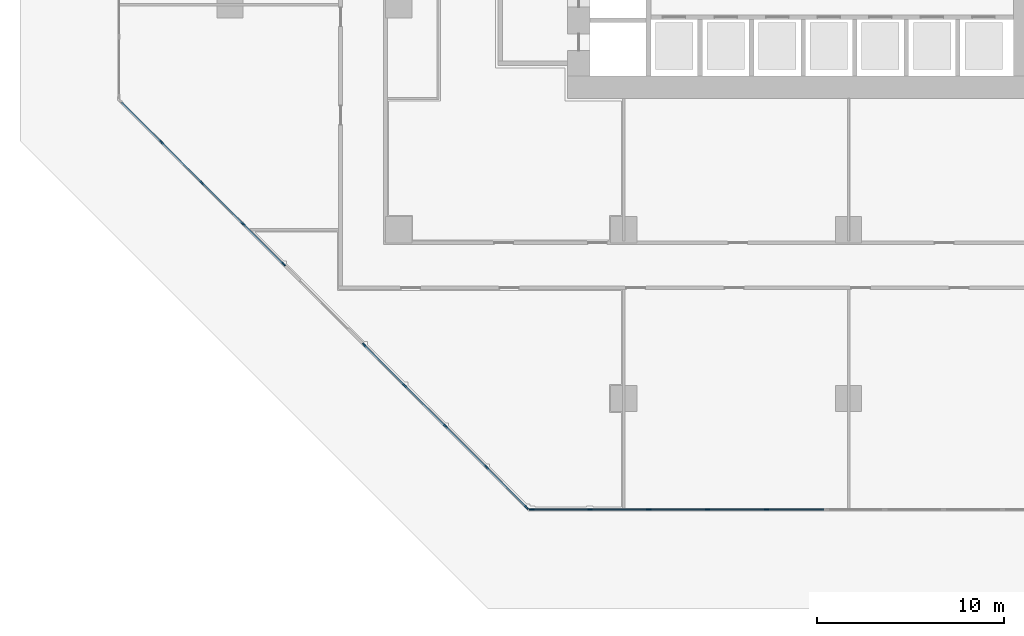
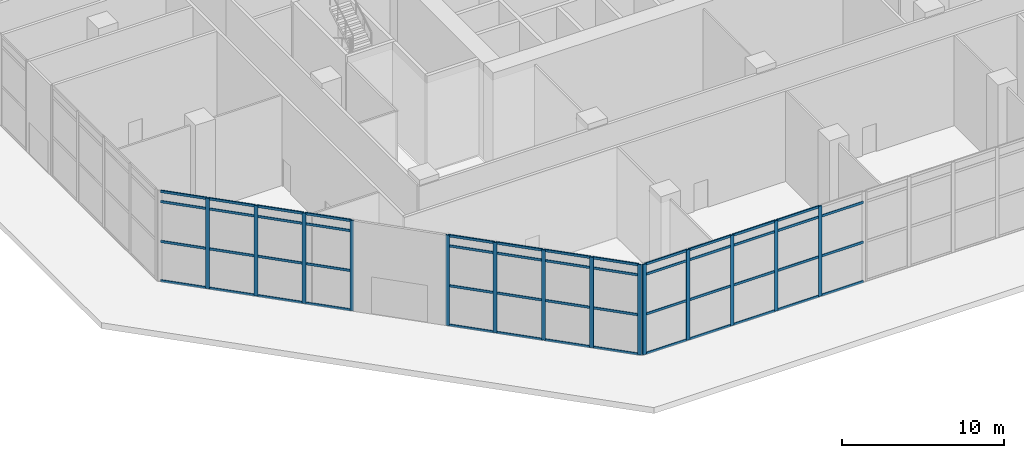
# One storey, part 2 of 34: 65 members, 3 elements without a shape of their own.
"""IFC4 building model written with IfcOpenShell, lengths in metres."""

from ifc_helpers import new_model, si_unit, direction, frame, origin, origin_2d, place, context, subcontext, project, spatial, rectangle, extrude, material, layer, layer_set, material_profile, profile_set, type_object, element, aggregate, save


model = new_model("IFC4")

# Units and contexts
model_context = context("Model", 3, precision=1e-05, world=origin(), true_north=direction((0.0, 1.0)))
body_context = subcontext(model_context, "Body", "Model", "MODEL_VIEW")
ifc_project = project(units=[si_unit("LENGTHUNIT", "METRE"), si_unit("AREAUNIT", "SQUARE_METRE"), si_unit("VOLUMEUNIT", "CUBIC_METRE"), si_unit("PLANEANGLEUNIT", "RADIAN"), si_unit("MASSUNIT", "GRAM", prefix="KILO")], contexts=[model_context])

# Site, building, storey
site_placement = place(None, origin())
site = spatial("IfcSite", under=ifc_project, at=site_placement, CompositionType="ELEMENT")
building_placement = place(site_placement, origin())
building = spatial("IfcBuilding", under=site, at=building_placement, Name="Chenar Terraces", CompositionType="ELEMENT")
storey_placement = place(building_placement, origin())
storey = spatial("IfcBuildingStorey", under=building, at=storey_placement, Name="L00", CompositionType="ELEMENT", Elevation=0.0)

# Curtain wall, members
ifc_material_1 = material(Name="Aluminium framed glazing", Category="aluminium")
ifc_layer = layer(ifc_material_1, 0.14990234375)
ifc_layer_set = layer_set([ifc_layer], Name="Aluminium framed glazing")
curtain_wall_type = type_object("IfcCurtainWallType", Name="Lobby curtain wall", PredefinedType="NOTDEFINED", material=ifc_layer_set)
placement = place(storey_placement, origin())
curtain_wall_1 = element("IfcCurtainWall", 1, at=placement, inside=storey, type_object=curtain_wall_type, Name="Lobby curtain wall", PredefinedType="NOTDEFINED")
ifc_material_2 = material(Name="Aluminium", Category="aluminium")
ifc_material_profile_1 = material_profile(ifc_material_2, rectangle(XDim=0.080078125, YDim=0.25, at=origin_2d()), Name="Lobby glazing mullion 80 x 250")
ifc_profile_set_1 = profile_set([ifc_material_profile_1], Name="Aluminium")
member_type_1 = type_object("IfcMemberType", Name="Lobby glazing mullion 80 x 250", PredefinedType="MULLION", material=ifc_profile_set_1)
member_1_placement = place(storey_placement, frame((-12.661376953125, 4.675537109375, 0.0), z_axis=(0.0, 0.0, 1.0), x_axis=(0.707106781187, 0.707106781187, 0.0)))
member_1 = element("IfcMember", 2, at=member_1_placement, type_object=member_type_1, Name="CW6-05a0 mullion 2", PredefinedType="MULLION", context=body_context, shape_type="SweptSolid", body=[
    extrude(rectangle(XDim=0.080078125, YDim=0.25, at=origin_2d()), origin(), (0.0, 0.0, 1.0), 6.800048828125),
])
member_2_placement = place(storey_placement, frame((-10.48193359375, 2.49609375, 0.0), z_axis=(0.0, 0.0, 1.0), x_axis=(0.707106781187, 0.707106781187, 0.0)))
member_2 = element("IfcMember", 3, at=member_2_placement, type_object=member_type_1, Name="CW6-05a0 mullion 3", PredefinedType="MULLION", context=body_context, shape_type="SweptSolid", body=[
    extrude(rectangle(XDim=0.080078125, YDim=0.25, at=origin_2d()), origin(), (0.0, 0.0, 1.0), 6.800048828125),
])
member_3_placement = place(storey_placement, frame((-8.302490234375, 0.316650390625, 0.0), z_axis=(0.0, 0.0, 1.0), x_axis=(0.707106781187, 0.707106781187, 0.0)))
member_3 = element("IfcMember", 4, at=member_3_placement, type_object=member_type_1, Name="CW6-05a0 mullion 4", PredefinedType="MULLION", context=body_context, shape_type="SweptSolid", body=[
    extrude(rectangle(XDim=0.080078125, YDim=0.25, at=origin_2d()), origin(), (0.0, 0.0, 1.0), 6.800048828125),
])
member_4_placement = place(storey_placement, frame((-6.1513671875, -1.83447265625, 0.0), z_axis=(0.0, 0.0, 1.0), x_axis=(0.707106781187, 0.707106781187, 0.0)))
member_4 = element("IfcMember", 5, at=member_4_placement, type_object=member_type_1, Name="CW6-05a0 mullion 5", PredefinedType="MULLION", context=body_context, shape_type="SweptSolid", body=[
    extrude(rectangle(XDim=0.080078125, YDim=0.25, at=origin_2d()), origin(), (0.0, 0.0, 1.0), 6.800048828125),
])

curtain_wall_2 = element("IfcCurtainWall", 6, at=placement, inside=storey, type_object=curtain_wall_type, Name="Lobby curtain wall", PredefinedType="NOTDEFINED")
member_5_placement = place(storey_placement, frame((-1.83447265625, -6.1513671875, 0.0), z_axis=(0.0, 0.0, 1.0), x_axis=(0.707106781187, 0.707106781187, 0.0)))
member_5 = element("IfcMember", 7, at=member_5_placement, type_object=member_type_1, Name="CW6-05b0 mullion 1", PredefinedType="MULLION", context=body_context, shape_type="SweptSolid", body=[
    extrude(rectangle(XDim=0.080078125, YDim=0.25, at=origin_2d()), origin(), (0.0, 0.0, 1.0), 6.800048828125),
])
member_6_placement = place(storey_placement, frame((0.316650390625, -8.302490234375, 0.0), z_axis=(0.0, 0.0, 1.0), x_axis=(0.707106781187, 0.707106781187, 0.0)))
member_6 = element("IfcMember", 8, at=member_6_placement, type_object=member_type_1, Name="CW6-05b0 mullion 2", PredefinedType="MULLION", context=body_context, shape_type="SweptSolid", body=[
    extrude(rectangle(XDim=0.080078125, YDim=0.25, at=origin_2d()), origin(), (0.0, 0.0, 1.0), 6.800048828125),
])
member_7_placement = place(storey_placement, frame((2.49609375, -10.48193359375, 0.0), z_axis=(0.0, 0.0, 1.0), x_axis=(0.707106781187, 0.707106781187, 0.0)))
member_7 = element("IfcMember", 9, at=member_7_placement, type_object=member_type_1, Name="CW6-05b0 mullion 3", PredefinedType="MULLION", context=body_context, shape_type="SweptSolid", body=[
    extrude(rectangle(XDim=0.080078125, YDim=0.25, at=origin_2d()), origin(), (0.0, 0.0, 1.0), 6.800048828125),
])
member_8_placement = place(storey_placement, frame((4.675537109375, -12.661376953125, 0.0), z_axis=(0.0, 0.0, 1.0), x_axis=(0.707106781187, 0.707106781187, 0.0)))
member_8 = element("IfcMember", 10, at=member_8_placement, type_object=member_type_1, Name="CW6-05b0 mullion 4", PredefinedType="MULLION", context=body_context, shape_type="SweptSolid", body=[
    extrude(rectangle(XDim=0.080078125, YDim=0.25, at=origin_2d()), origin(), (0.0, 0.0, 1.0), 6.800048828125),
])
member_9_placement = place(storey_placement, frame((6.826904296875, -14.8125, 0.0), z_axis=(0.0, 0.0, 1.0), x_axis=(0.707106781187, 0.707106781187, 0.0)))
member_9 = element("IfcMember", 11, at=member_9_placement, type_object=member_type_1, Name="CW6-05b0 mullion 5", PredefinedType="MULLION", context=body_context, shape_type="SweptSolid", body=[
    extrude(rectangle(XDim=0.080078125, YDim=0.25, at=origin_2d()), origin(), (0.0, 0.0, 1.0), 6.800048828125),
])

curtain_wall_3 = element("IfcCurtainWall", 12, at=placement, inside=storey, type_object=curtain_wall_type, Name="Lobby curtain wall", PredefinedType="NOTDEFINED")
member_10_placement = place(storey_placement, frame((7.09814453125, -14.925048828125, 0.0), z_axis=(0.0, 0.0, 1.0), x_axis=(0.0, 1.0, 0.0)))
member_10 = element("IfcMember", 13, at=member_10_placement, type_object=member_type_1, Name="CW6-06p10 mullion 1", PredefinedType="MULLION", context=body_context, shape_type="SweptSolid", body=[
    extrude(rectangle(XDim=0.080078125, YDim=0.25, at=origin_2d()), origin(), (0.0, 0.0, 1.0), 6.800048828125),
])
member_11_placement = place(storey_placement, frame((10.198486328125, -14.925048828125, 0.0), z_axis=(0.0, 0.0, 1.0), x_axis=(0.0, 1.0, 0.0)))
member_11 = element("IfcMember", 14, at=member_11_placement, type_object=member_type_1, Name="CW6-06p10 mullion 2", PredefinedType="MULLION", context=body_context, shape_type="SweptSolid", body=[
    extrude(rectangle(XDim=0.080078125, YDim=0.25, at=origin_2d()), origin(), (0.0, 0.0, 1.0), 6.800048828125),
])
member_12_placement = place(storey_placement, frame((13.3388671875, -14.925048828125, 0.0), z_axis=(0.0, 0.0, 1.0), x_axis=(0.0, 1.0, 0.0)))
member_12 = element("IfcMember", 15, at=member_12_placement, type_object=member_type_1, Name="CW6-06p10 mullion 3", PredefinedType="MULLION", context=body_context, shape_type="SweptSolid", body=[
    extrude(rectangle(XDim=0.080078125, YDim=0.25, at=origin_2d()), origin(), (0.0, 0.0, 1.0), 6.800048828125),
])
member_13_placement = place(storey_placement, frame((16.4794921875, -14.925048828125, 0.0), z_axis=(0.0, 0.0, 1.0), x_axis=(0.0, 1.0, 0.0)))
member_13 = element("IfcMember", 16, at=member_13_placement, type_object=member_type_1, Name="CW6-06p10 mullion 4", PredefinedType="MULLION", context=body_context, shape_type="SweptSolid", body=[
    extrude(rectangle(XDim=0.080078125, YDim=0.25, at=origin_2d()), origin(), (0.0, 0.0, 1.0), 6.800048828125),
])
member_14_placement = place(storey_placement, frame((19.619873046875, -14.925048828125, 0.0), z_axis=(0.0, 0.0, 1.0), x_axis=(0.0, 1.0, 0.0)))
member_14 = element("IfcMember", 17, at=member_14_placement, type_object=member_type_1, Name="CW6-06p10 mullion 5", PredefinedType="MULLION", context=body_context, shape_type="SweptSolid", body=[
    extrude(rectangle(XDim=0.080078125, YDim=0.25, at=origin_2d()), origin(), (0.0, 0.0, 1.0), 6.800048828125),
])

# Member
ifc_material_3 = material(Name="Aluminium", Category="aluminium")
ifc_material_profile_2 = material_profile(ifc_material_3, rectangle(XDim=0.080078125, YDim=0.179931640625, at=origin_2d()), Name="Lobby glazing transom 80 x 180")
ifc_profile_set_2 = profile_set([ifc_material_profile_2], Name="Aluminium")
member_type_2 = type_object("IfcMemberType", Name="Lobby glazing transom 80 x 180", PredefinedType="USERDEFINED", material=ifc_profile_set_2)
member_15_placement = place(storey_placement, frame((-14.784423828125, 6.798583984375, 0.0400390625), z_axis=(0.707106781187, -0.707106781187, 0.0), x_axis=(0.707106781187, 0.707106781187, 0.0)))
member_15 = element("IfcMember", 18, at=member_15_placement, type_object=member_type_2, Name="CW6-05a0 transom 1.1", ObjectType="TRANSOM", PredefinedType="USERDEFINED", context=body_context, shape_type="SweptSolid", body=[
    extrude(rectangle(XDim=0.080078125, YDim=0.179931640625, at=origin_2d()), origin(), (0.0, 0.0, 1.0), 2.96240234375),
])

member_16_placement = place(storey_placement, frame((-14.784423828125, 6.798583984375, 3.0), z_axis=(0.707106781187, -0.707106781187, 0.0), x_axis=(0.707106781187, 0.707106781187, 0.0)))
member_16 = element("IfcMember", 19, at=member_16_placement, type_object=member_type_2, Name="CW6-05a0 transom 1.2", ObjectType="TRANSOM", PredefinedType="USERDEFINED", context=body_context, shape_type="SweptSolid", body=[
    extrude(rectangle(XDim=0.080078125, YDim=0.179931640625, at=origin_2d()), origin(), (0.0, 0.0, 1.0), 2.96240234375),
])

member_17_placement = place(storey_placement, frame((-14.784423828125, 6.798583984375, 6.0), z_axis=(0.707106781187, -0.707106781187, 0.0), x_axis=(0.707106781187, 0.707106781187, 0.0)))
member_17 = element("IfcMember", 20, at=member_17_placement, type_object=member_type_2, Name="CW6-05a0 transom 1.3", ObjectType="TRANSOM", PredefinedType="USERDEFINED", context=body_context, shape_type="SweptSolid", body=[
    extrude(rectangle(XDim=0.080078125, YDim=0.179931640625, at=origin_2d()), origin(), (0.0, 0.0, 1.0), 2.96240234375),
])

member_18_placement = place(storey_placement, frame((-14.784423828125, 6.798583984375, 6.760009765625), z_axis=(0.707106781187, -0.707106781187, 0.0), x_axis=(0.707106781187, 0.707106781187, 0.0)))
member_18 = element("IfcMember", 21, at=member_18_placement, type_object=member_type_2, Name="CW6-05a0 transom 1.4", ObjectType="TRANSOM", PredefinedType="USERDEFINED", context=body_context, shape_type="SweptSolid", body=[
    extrude(rectangle(XDim=0.080078125, YDim=0.179931640625, at=origin_2d()), origin(), (0.0, 0.0, 1.0), 2.96240234375),
])

member_19_placement = place(storey_placement, frame((-12.633056640625, 4.647216796875, 0.0400390625), z_axis=(0.707106781187, -0.707106781187, 0.0), x_axis=(0.707106781187, 0.707106781187, 0.0)))
member_19 = element("IfcMember", 22, at=member_19_placement, type_object=member_type_2, Name="CW6-05a0 transom 2.1", ObjectType="TRANSOM", PredefinedType="USERDEFINED", context=body_context, shape_type="SweptSolid", body=[
    extrude(rectangle(XDim=0.080078125, YDim=0.179931640625, at=origin_2d()), origin(), (0.0, 0.0, 1.0), 3.002197265625),
])

member_20_placement = place(storey_placement, frame((-12.633056640625, 4.647216796875, 3.0), z_axis=(0.707106781187, -0.707106781187, 0.0), x_axis=(0.707106781187, 0.707106781187, 0.0)))
member_20 = element("IfcMember", 23, at=member_20_placement, type_object=member_type_2, Name="CW6-05a0 transom 2.2", ObjectType="TRANSOM", PredefinedType="USERDEFINED", context=body_context, shape_type="SweptSolid", body=[
    extrude(rectangle(XDim=0.080078125, YDim=0.179931640625, at=origin_2d()), origin(), (0.0, 0.0, 1.0), 3.002197265625),
])

member_21_placement = place(storey_placement, frame((-12.633056640625, 4.647216796875, 6.0), z_axis=(0.707106781187, -0.707106781187, 0.0), x_axis=(0.707106781187, 0.707106781187, 0.0)))
member_21 = element("IfcMember", 24, at=member_21_placement, type_object=member_type_2, Name="CW6-05a0 transom 2.3", ObjectType="TRANSOM", PredefinedType="USERDEFINED", context=body_context, shape_type="SweptSolid", body=[
    extrude(rectangle(XDim=0.080078125, YDim=0.179931640625, at=origin_2d()), origin(), (0.0, 0.0, 1.0), 3.002197265625),
])

member_22_placement = place(storey_placement, frame((-12.633056640625, 4.647216796875, 6.760009765625), z_axis=(0.707106781187, -0.707106781187, 0.0), x_axis=(0.707106781187, 0.707106781187, 0.0)))
member_22 = element("IfcMember", 25, at=member_22_placement, type_object=member_type_2, Name="CW6-05a0 transom 2.4", ObjectType="TRANSOM", PredefinedType="USERDEFINED", context=body_context, shape_type="SweptSolid", body=[
    extrude(rectangle(XDim=0.080078125, YDim=0.179931640625, at=origin_2d()), origin(), (0.0, 0.0, 1.0), 3.002197265625),
])

member_23_placement = place(storey_placement, frame((-10.45361328125, 2.4677734375, 0.0400390625), z_axis=(0.707106781187, -0.707106781187, 0.0), x_axis=(0.707106781187, 0.707106781187, 0.0)))
member_23 = element("IfcMember", 26, at=member_23_placement, type_object=member_type_2, Name="CW6-05a0 transom 3.1", ObjectType="TRANSOM", PredefinedType="USERDEFINED", context=body_context, shape_type="SweptSolid", body=[
    extrude(rectangle(XDim=0.080078125, YDim=0.179931640625, at=origin_2d()), origin(), (0.0, 0.0, 1.0), 3.002197265625),
])

member_24_placement = place(storey_placement, frame((-10.45361328125, 2.4677734375, 3.0), z_axis=(0.707106781187, -0.707106781187, 0.0), x_axis=(0.707106781187, 0.707106781187, 0.0)))
member_24 = element("IfcMember", 27, at=member_24_placement, type_object=member_type_2, Name="CW6-05a0 transom 3.2", ObjectType="TRANSOM", PredefinedType="USERDEFINED", context=body_context, shape_type="SweptSolid", body=[
    extrude(rectangle(XDim=0.080078125, YDim=0.179931640625, at=origin_2d()), origin(), (0.0, 0.0, 1.0), 3.002197265625),
])

member_25_placement = place(storey_placement, frame((-10.45361328125, 2.4677734375, 6.0), z_axis=(0.707106781187, -0.707106781187, 0.0), x_axis=(0.707106781187, 0.707106781187, 0.0)))
member_25 = element("IfcMember", 28, at=member_25_placement, type_object=member_type_2, Name="CW6-05a0 transom 3.3", ObjectType="TRANSOM", PredefinedType="USERDEFINED", context=body_context, shape_type="SweptSolid", body=[
    extrude(rectangle(XDim=0.080078125, YDim=0.179931640625, at=origin_2d()), origin(), (0.0, 0.0, 1.0), 3.002197265625),
])

member_26_placement = place(storey_placement, frame((-10.45361328125, 2.4677734375, 6.760009765625), z_axis=(0.707106781187, -0.707106781187, 0.0), x_axis=(0.707106781187, 0.707106781187, 0.0)))
member_26 = element("IfcMember", 29, at=member_26_placement, type_object=member_type_2, Name="CW6-05a0 transom 3.4", ObjectType="TRANSOM", PredefinedType="USERDEFINED", context=body_context, shape_type="SweptSolid", body=[
    extrude(rectangle(XDim=0.080078125, YDim=0.179931640625, at=origin_2d()), origin(), (0.0, 0.0, 1.0), 3.002197265625),
])

member_27_placement = place(storey_placement, frame((-8.274169921875, 0.288330078125, 0.0400390625), z_axis=(0.707106781187, -0.707106781187, 0.0), x_axis=(0.707106781187, 0.707106781187, 0.0)))
member_27 = element("IfcMember", 30, at=member_27_placement, type_object=member_type_2, Name="CW6-05a0 transom 4.1", ObjectType="TRANSOM", PredefinedType="USERDEFINED", context=body_context, shape_type="SweptSolid", body=[
    extrude(rectangle(XDim=0.080078125, YDim=0.179931640625, at=origin_2d()), origin(), (0.0, 0.0, 1.0), 2.962158203125),
])

member_28_placement = place(storey_placement, frame((-8.274169921875, 0.288330078125, 3.0), z_axis=(0.707106781187, -0.707106781187, 0.0), x_axis=(0.707106781187, 0.707106781187, 0.0)))
member_28 = element("IfcMember", 31, at=member_28_placement, type_object=member_type_2, Name="CW6-05a0 transom 4.2", ObjectType="TRANSOM", PredefinedType="USERDEFINED", context=body_context, shape_type="SweptSolid", body=[
    extrude(rectangle(XDim=0.080078125, YDim=0.179931640625, at=origin_2d()), origin(), (0.0, 0.0, 1.0), 2.962158203125),
])

member_29_placement = place(storey_placement, frame((-8.274169921875, 0.288330078125, 6.0), z_axis=(0.707106781187, -0.707106781187, 0.0), x_axis=(0.707106781187, 0.707106781187, 0.0)))
member_29 = element("IfcMember", 32, at=member_29_placement, type_object=member_type_2, Name="CW6-05a0 transom 4.3", ObjectType="TRANSOM", PredefinedType="USERDEFINED", context=body_context, shape_type="SweptSolid", body=[
    extrude(rectangle(XDim=0.080078125, YDim=0.179931640625, at=origin_2d()), origin(), (0.0, 0.0, 1.0), 2.962158203125),
])

member_30_placement = place(storey_placement, frame((-8.274169921875, 0.288330078125, 6.760009765625), z_axis=(0.707106781187, -0.707106781187, 0.0), x_axis=(0.707106781187, 0.707106781187, 0.0)))
member_30 = element("IfcMember", 33, at=member_30_placement, type_object=member_type_2, Name="CW6-05a0 transom 4.4", ObjectType="TRANSOM", PredefinedType="USERDEFINED", context=body_context, shape_type="SweptSolid", body=[
    extrude(rectangle(XDim=0.080078125, YDim=0.179931640625, at=origin_2d()), origin(), (0.0, 0.0, 1.0), 2.962158203125),
])

aggregate(curtain_wall_1, [member_1, member_2, member_3, member_4, member_15, member_16, member_17, member_18, member_19, member_20, member_21, member_22, member_23, member_24, member_25, member_26, member_27, member_28, member_29, member_30])

member_31_placement = place(storey_placement, frame((-1.80615234375, -6.1796875, 0.0400390625), z_axis=(0.707106781187, -0.707106781187, 0.0), x_axis=(0.707106781187, 0.707106781187, 0.0)))
member_31 = element("IfcMember", 34, at=member_31_placement, type_object=member_type_2, Name="CW6-05b0 transom 1.1", ObjectType="TRANSOM", PredefinedType="USERDEFINED", context=body_context, shape_type="SweptSolid", body=[
    extrude(rectangle(XDim=0.080078125, YDim=0.179931640625, at=origin_2d()), origin(), (0.0, 0.0, 1.0), 2.962158203125),
])

member_32_placement = place(storey_placement, frame((-1.80615234375, -6.1796875, 3.0), z_axis=(0.707106781187, -0.707106781187, 0.0), x_axis=(0.707106781187, 0.707106781187, 0.0)))
member_32 = element("IfcMember", 35, at=member_32_placement, type_object=member_type_2, Name="CW6-05b0 transom 1.2", ObjectType="TRANSOM", PredefinedType="USERDEFINED", context=body_context, shape_type="SweptSolid", body=[
    extrude(rectangle(XDim=0.080078125, YDim=0.179931640625, at=origin_2d()), origin(), (0.0, 0.0, 1.0), 2.962158203125),
])

member_33_placement = place(storey_placement, frame((-1.80615234375, -6.1796875, 6.0), z_axis=(0.707106781187, -0.707106781187, 0.0), x_axis=(0.707106781187, 0.707106781187, 0.0)))
member_33 = element("IfcMember", 36, at=member_33_placement, type_object=member_type_2, Name="CW6-05b0 transom 1.3", ObjectType="TRANSOM", PredefinedType="USERDEFINED", context=body_context, shape_type="SweptSolid", body=[
    extrude(rectangle(XDim=0.080078125, YDim=0.179931640625, at=origin_2d()), origin(), (0.0, 0.0, 1.0), 2.962158203125),
])

member_34_placement = place(storey_placement, frame((-1.80615234375, -6.1796875, 6.760009765625), z_axis=(0.707106781187, -0.707106781187, 0.0), x_axis=(0.707106781187, 0.707106781187, 0.0)))
member_34 = element("IfcMember", 37, at=member_34_placement, type_object=member_type_2, Name="CW6-05b0 transom 1.4", ObjectType="TRANSOM", PredefinedType="USERDEFINED", context=body_context, shape_type="SweptSolid", body=[
    extrude(rectangle(XDim=0.080078125, YDim=0.179931640625, at=origin_2d()), origin(), (0.0, 0.0, 1.0), 2.962158203125),
])

member_35_placement = place(storey_placement, frame((0.344970703125, -8.330810546875, 0.0400390625), z_axis=(0.707106781187, -0.707106781187, 0.0), x_axis=(0.707106781187, 0.707106781187, 0.0)))
member_35 = element("IfcMember", 38, at=member_35_placement, type_object=member_type_2, Name="CW6-05b0 transom 2.1", ObjectType="TRANSOM", PredefinedType="USERDEFINED", context=body_context, shape_type="SweptSolid", body=[
    extrude(rectangle(XDim=0.080078125, YDim=0.179931640625, at=origin_2d()), origin(), (0.0, 0.0, 1.0), 3.002197265625),
])

member_36_placement = place(storey_placement, frame((0.344970703125, -8.330810546875, 3.0), z_axis=(0.707106781187, -0.707106781187, 0.0), x_axis=(0.707106781187, 0.707106781187, 0.0)))
member_36 = element("IfcMember", 39, at=member_36_placement, type_object=member_type_2, Name="CW6-05b0 transom 2.2", ObjectType="TRANSOM", PredefinedType="USERDEFINED", context=body_context, shape_type="SweptSolid", body=[
    extrude(rectangle(XDim=0.080078125, YDim=0.179931640625, at=origin_2d()), origin(), (0.0, 0.0, 1.0), 3.002197265625),
])

member_37_placement = place(storey_placement, frame((0.344970703125, -8.330810546875, 6.0), z_axis=(0.707106781187, -0.707106781187, 0.0), x_axis=(0.707106781187, 0.707106781187, 0.0)))
member_37 = element("IfcMember", 40, at=member_37_placement, type_object=member_type_2, Name="CW6-05b0 transom 2.3", ObjectType="TRANSOM", PredefinedType="USERDEFINED", context=body_context, shape_type="SweptSolid", body=[
    extrude(rectangle(XDim=0.080078125, YDim=0.179931640625, at=origin_2d()), origin(), (0.0, 0.0, 1.0), 3.002197265625),
])

member_38_placement = place(storey_placement, frame((0.344970703125, -8.330810546875, 6.760009765625), z_axis=(0.707106781187, -0.707106781187, 0.0), x_axis=(0.707106781187, 0.707106781187, 0.0)))
member_38 = element("IfcMember", 41, at=member_38_placement, type_object=member_type_2, Name="CW6-05b0 transom 2.4", ObjectType="TRANSOM", PredefinedType="USERDEFINED", context=body_context, shape_type="SweptSolid", body=[
    extrude(rectangle(XDim=0.080078125, YDim=0.179931640625, at=origin_2d()), origin(), (0.0, 0.0, 1.0), 3.002197265625),
])

member_39_placement = place(storey_placement, frame((2.5244140625, -10.51025390625, 0.0400390625), z_axis=(0.707106781187, -0.707106781187, 0.0), x_axis=(0.707106781187, 0.707106781187, 0.0)))
member_39 = element("IfcMember", 42, at=member_39_placement, type_object=member_type_2, Name="CW6-05b0 transom 3.1", ObjectType="TRANSOM", PredefinedType="USERDEFINED", context=body_context, shape_type="SweptSolid", body=[
    extrude(rectangle(XDim=0.080078125, YDim=0.179931640625, at=origin_2d()), origin(), (0.0, 0.0, 1.0), 3.002197265625),
])

member_40_placement = place(storey_placement, frame((2.5244140625, -10.51025390625, 3.0), z_axis=(0.707106781187, -0.707106781187, 0.0), x_axis=(0.707106781187, 0.707106781187, 0.0)))
member_40 = element("IfcMember", 43, at=member_40_placement, type_object=member_type_2, Name="CW6-05b0 transom 3.2", ObjectType="TRANSOM", PredefinedType="USERDEFINED", context=body_context, shape_type="SweptSolid", body=[
    extrude(rectangle(XDim=0.080078125, YDim=0.179931640625, at=origin_2d()), origin(), (0.0, 0.0, 1.0), 3.002197265625),
])

member_41_placement = place(storey_placement, frame((2.5244140625, -10.51025390625, 6.0), z_axis=(0.707106781187, -0.707106781187, 0.0), x_axis=(0.707106781187, 0.707106781187, 0.0)))
member_41 = element("IfcMember", 44, at=member_41_placement, type_object=member_type_2, Name="CW6-05b0 transom 3.3", ObjectType="TRANSOM", PredefinedType="USERDEFINED", context=body_context, shape_type="SweptSolid", body=[
    extrude(rectangle(XDim=0.080078125, YDim=0.179931640625, at=origin_2d()), origin(), (0.0, 0.0, 1.0), 3.002197265625),
])

member_42_placement = place(storey_placement, frame((2.5244140625, -10.51025390625, 6.760009765625), z_axis=(0.707106781187, -0.707106781187, 0.0), x_axis=(0.707106781187, 0.707106781187, 0.0)))
member_42 = element("IfcMember", 45, at=member_42_placement, type_object=member_type_2, Name="CW6-05b0 transom 3.4", ObjectType="TRANSOM", PredefinedType="USERDEFINED", context=body_context, shape_type="SweptSolid", body=[
    extrude(rectangle(XDim=0.080078125, YDim=0.179931640625, at=origin_2d()), origin(), (0.0, 0.0, 1.0), 3.002197265625),
])

member_43_placement = place(storey_placement, frame((4.703857421875, -12.689697265625, 0.0400390625), z_axis=(0.707106781187, -0.707106781187, 0.0), x_axis=(0.707106781187, 0.707106781187, 0.0)))
member_43 = element("IfcMember", 46, at=member_43_placement, type_object=member_type_2, Name="CW6-05b0 transom 4.1", ObjectType="TRANSOM", PredefinedType="USERDEFINED", context=body_context, shape_type="SweptSolid", body=[
    extrude(rectangle(XDim=0.080078125, YDim=0.179931640625, at=origin_2d()), origin(), (0.0, 0.0, 1.0), 2.96240234375),
])

member_44_placement = place(storey_placement, frame((4.703857421875, -12.689697265625, 3.0), z_axis=(0.707106781187, -0.707106781187, 0.0), x_axis=(0.707106781187, 0.707106781187, 0.0)))
member_44 = element("IfcMember", 47, at=member_44_placement, type_object=member_type_2, Name="CW6-05b0 transom 4.2", ObjectType="TRANSOM", PredefinedType="USERDEFINED", context=body_context, shape_type="SweptSolid", body=[
    extrude(rectangle(XDim=0.080078125, YDim=0.179931640625, at=origin_2d()), origin(), (0.0, 0.0, 1.0), 2.96240234375),
])

member_45_placement = place(storey_placement, frame((4.703857421875, -12.689697265625, 6.0), z_axis=(0.707106781187, -0.707106781187, 0.0), x_axis=(0.707106781187, 0.707106781187, 0.0)))
member_45 = element("IfcMember", 48, at=member_45_placement, type_object=member_type_2, Name="CW6-05b0 transom 4.3", ObjectType="TRANSOM", PredefinedType="USERDEFINED", context=body_context, shape_type="SweptSolid", body=[
    extrude(rectangle(XDim=0.080078125, YDim=0.179931640625, at=origin_2d()), origin(), (0.0, 0.0, 1.0), 2.96240234375),
])

member_46_placement = place(storey_placement, frame((4.703857421875, -12.689697265625, 6.760009765625), z_axis=(0.707106781187, -0.707106781187, 0.0), x_axis=(0.707106781187, 0.707106781187, 0.0)))
member_46 = element("IfcMember", 49, at=member_46_placement, type_object=member_type_2, Name="CW6-05b0 transom 4.4", ObjectType="TRANSOM", PredefinedType="USERDEFINED", context=body_context, shape_type="SweptSolid", body=[
    extrude(rectangle(XDim=0.080078125, YDim=0.179931640625, at=origin_2d()), origin(), (0.0, 0.0, 1.0), 2.96240234375),
])

aggregate(curtain_wall_2, [member_5, member_6, member_7, member_8, member_9, member_31, member_32, member_33, member_34, member_35, member_36, member_37, member_38, member_39, member_40, member_41, member_42, member_43, member_44, member_45, member_46])

member_47_placement = place(storey_placement, frame((7.13818359375, -14.925048828125, 0.0400390625), z_axis=(1.0, 0.0, 0.0), x_axis=(0.0, 1.0, 0.0)))
member_47 = element("IfcMember", 50, at=member_47_placement, type_object=member_type_2, Name="CW6-06p10 transom 1.1", ObjectType="TRANSOM", PredefinedType="USERDEFINED", context=body_context, shape_type="SweptSolid", body=[
    extrude(rectangle(XDim=0.080078125, YDim=0.179931640625, at=origin_2d()), origin(), (0.0, 0.0, 1.0), 3.020263671875),
])

member_48_placement = place(storey_placement, frame((7.13818359375, -14.925048828125, 3.0), z_axis=(1.0, 0.0, 0.0), x_axis=(0.0, 1.0, 0.0)))
member_48 = element("IfcMember", 51, at=member_48_placement, type_object=member_type_2, Name="CW6-06p10 transom 1.2", ObjectType="TRANSOM", PredefinedType="USERDEFINED", context=body_context, shape_type="SweptSolid", body=[
    extrude(rectangle(XDim=0.080078125, YDim=0.179931640625, at=origin_2d()), origin(), (0.0, 0.0, 1.0), 3.020263671875),
])

member_49_placement = place(storey_placement, frame((7.13818359375, -14.925048828125, 6.0), z_axis=(1.0, 0.0, 0.0), x_axis=(0.0, 1.0, 0.0)))
member_49 = element("IfcMember", 52, at=member_49_placement, type_object=member_type_2, Name="CW6-06p10 transom 1.3", ObjectType="TRANSOM", PredefinedType="USERDEFINED", context=body_context, shape_type="SweptSolid", body=[
    extrude(rectangle(XDim=0.080078125, YDim=0.179931640625, at=origin_2d()), origin(), (0.0, 0.0, 1.0), 3.020263671875),
])

member_50_placement = place(storey_placement, frame((7.13818359375, -14.925048828125, 6.760009765625), z_axis=(1.0, 0.0, 0.0), x_axis=(0.0, 1.0, 0.0)))
member_50 = element("IfcMember", 53, at=member_50_placement, type_object=member_type_2, Name="CW6-06p10 transom 1.4", ObjectType="TRANSOM", PredefinedType="USERDEFINED", context=body_context, shape_type="SweptSolid", body=[
    extrude(rectangle(XDim=0.080078125, YDim=0.179931640625, at=origin_2d()), origin(), (0.0, 0.0, 1.0), 3.020263671875),
])

member_51_placement = place(storey_placement, frame((10.238525390625, -14.925048828125, 0.0400390625), z_axis=(1.0, 0.0, 0.0), x_axis=(0.0, 1.0, 0.0)))
member_51 = element("IfcMember", 54, at=member_51_placement, type_object=member_type_2, Name="CW6-06p10 transom 2.1", ObjectType="TRANSOM", PredefinedType="USERDEFINED", context=body_context, shape_type="SweptSolid", body=[
    extrude(rectangle(XDim=0.080078125, YDim=0.179931640625, at=origin_2d()), origin(), (0.0, 0.0, 1.0), 3.060546875),
])

member_52_placement = place(storey_placement, frame((10.238525390625, -14.925048828125, 3.0), z_axis=(1.0, 0.0, 0.0), x_axis=(0.0, 1.0, 0.0)))
member_52 = element("IfcMember", 55, at=member_52_placement, type_object=member_type_2, Name="CW6-06p10 transom 2.2", ObjectType="TRANSOM", PredefinedType="USERDEFINED", context=body_context, shape_type="SweptSolid", body=[
    extrude(rectangle(XDim=0.080078125, YDim=0.179931640625, at=origin_2d()), origin(), (0.0, 0.0, 1.0), 3.060546875),
])

member_53_placement = place(storey_placement, frame((10.238525390625, -14.925048828125, 6.0), z_axis=(1.0, 0.0, 0.0), x_axis=(0.0, 1.0, 0.0)))
member_53 = element("IfcMember", 56, at=member_53_placement, type_object=member_type_2, Name="CW6-06p10 transom 2.3", ObjectType="TRANSOM", PredefinedType="USERDEFINED", context=body_context, shape_type="SweptSolid", body=[
    extrude(rectangle(XDim=0.080078125, YDim=0.179931640625, at=origin_2d()), origin(), (0.0, 0.0, 1.0), 3.060546875),
])

member_54_placement = place(storey_placement, frame((10.238525390625, -14.925048828125, 6.760009765625), z_axis=(1.0, 0.0, 0.0), x_axis=(0.0, 1.0, 0.0)))
member_54 = element("IfcMember", 57, at=member_54_placement, type_object=member_type_2, Name="CW6-06p10 transom 2.4", ObjectType="TRANSOM", PredefinedType="USERDEFINED", context=body_context, shape_type="SweptSolid", body=[
    extrude(rectangle(XDim=0.080078125, YDim=0.179931640625, at=origin_2d()), origin(), (0.0, 0.0, 1.0), 3.060546875),
])

member_55_placement = place(storey_placement, frame((13.37890625, -14.925048828125, 0.0400390625), z_axis=(1.0, 0.0, 0.0), x_axis=(0.0, 1.0, 0.0)))
member_55 = element("IfcMember", 58, at=member_55_placement, type_object=member_type_2, Name="CW6-06p10 transom 3.1", ObjectType="TRANSOM", PredefinedType="USERDEFINED", context=body_context, shape_type="SweptSolid", body=[
    extrude(rectangle(XDim=0.080078125, YDim=0.179931640625, at=origin_2d()), origin(), (0.0, 0.0, 1.0), 3.060546875),
])

member_56_placement = place(storey_placement, frame((13.37890625, -14.925048828125, 3.0), z_axis=(1.0, 0.0, 0.0), x_axis=(0.0, 1.0, 0.0)))
member_56 = element("IfcMember", 59, at=member_56_placement, type_object=member_type_2, Name="CW6-06p10 transom 3.2", ObjectType="TRANSOM", PredefinedType="USERDEFINED", context=body_context, shape_type="SweptSolid", body=[
    extrude(rectangle(XDim=0.080078125, YDim=0.179931640625, at=origin_2d()), origin(), (0.0, 0.0, 1.0), 3.060546875),
])

member_57_placement = place(storey_placement, frame((13.37890625, -14.925048828125, 6.0), z_axis=(1.0, 0.0, 0.0), x_axis=(0.0, 1.0, 0.0)))
member_57 = element("IfcMember", 60, at=member_57_placement, type_object=member_type_2, Name="CW6-06p10 transom 3.3", ObjectType="TRANSOM", PredefinedType="USERDEFINED", context=body_context, shape_type="SweptSolid", body=[
    extrude(rectangle(XDim=0.080078125, YDim=0.179931640625, at=origin_2d()), origin(), (0.0, 0.0, 1.0), 3.060546875),
])

member_58_placement = place(storey_placement, frame((13.37890625, -14.925048828125, 6.760009765625), z_axis=(1.0, 0.0, 0.0), x_axis=(0.0, 1.0, 0.0)))
member_58 = element("IfcMember", 61, at=member_58_placement, type_object=member_type_2, Name="CW6-06p10 transom 3.4", ObjectType="TRANSOM", PredefinedType="USERDEFINED", context=body_context, shape_type="SweptSolid", body=[
    extrude(rectangle(XDim=0.080078125, YDim=0.179931640625, at=origin_2d()), origin(), (0.0, 0.0, 1.0), 3.060546875),
])

member_59_placement = place(storey_placement, frame((16.51953125, -14.925048828125, 0.0400390625), z_axis=(1.0, 0.0, 0.0), x_axis=(0.0, 1.0, 0.0)))
member_59 = element("IfcMember", 62, at=member_59_placement, type_object=member_type_2, Name="CW6-06p10 transom 4.1", ObjectType="TRANSOM", PredefinedType="USERDEFINED", context=body_context, shape_type="SweptSolid", body=[
    extrude(rectangle(XDim=0.080078125, YDim=0.179931640625, at=origin_2d()), origin(), (0.0, 0.0, 1.0), 3.060302734375),
])

member_60_placement = place(storey_placement, frame((16.51953125, -14.925048828125, 3.0), z_axis=(1.0, 0.0, 0.0), x_axis=(0.0, 1.0, 0.0)))
member_60 = element("IfcMember", 63, at=member_60_placement, type_object=member_type_2, Name="CW6-06p10 transom 4.2", ObjectType="TRANSOM", PredefinedType="USERDEFINED", context=body_context, shape_type="SweptSolid", body=[
    extrude(rectangle(XDim=0.080078125, YDim=0.179931640625, at=origin_2d()), origin(), (0.0, 0.0, 1.0), 3.060302734375),
])

member_61_placement = place(storey_placement, frame((16.51953125, -14.925048828125, 6.0), z_axis=(1.0, 0.0, 0.0), x_axis=(0.0, 1.0, 0.0)))
member_61 = element("IfcMember", 64, at=member_61_placement, type_object=member_type_2, Name="CW6-06p10 transom 4.3", ObjectType="TRANSOM", PredefinedType="USERDEFINED", context=body_context, shape_type="SweptSolid", body=[
    extrude(rectangle(XDim=0.080078125, YDim=0.179931640625, at=origin_2d()), origin(), (0.0, 0.0, 1.0), 3.060302734375),
])

member_62_placement = place(storey_placement, frame((16.51953125, -14.925048828125, 6.760009765625), z_axis=(1.0, 0.0, 0.0), x_axis=(0.0, 1.0, 0.0)))
member_62 = element("IfcMember", 65, at=member_62_placement, type_object=member_type_2, Name="CW6-06p10 transom 4.4", ObjectType="TRANSOM", PredefinedType="USERDEFINED", context=body_context, shape_type="SweptSolid", body=[
    extrude(rectangle(XDim=0.080078125, YDim=0.179931640625, at=origin_2d()), origin(), (0.0, 0.0, 1.0), 3.060302734375),
])

member_63_placement = place(storey_placement, frame((19.659912109375, -14.925048828125, 0.0400390625), z_axis=(1.0, 0.0, 0.0), x_axis=(0.0, 1.0, 0.0)))
member_63 = element("IfcMember", 66, at=member_63_placement, type_object=member_type_2, Name="CW6-06p10 transom 5.1", ObjectType="TRANSOM", PredefinedType="USERDEFINED", context=body_context, shape_type="SweptSolid", body=[
    extrude(rectangle(XDim=0.080078125, YDim=0.179931640625, at=origin_2d()), origin(), (0.0, 0.0, 1.0), 3.0205078125),
])

member_64_placement = place(storey_placement, frame((19.659912109375, -14.925048828125, 3.0), z_axis=(1.0, 0.0, 0.0), x_axis=(0.0, 1.0, 0.0)))
member_64 = element("IfcMember", 67, at=member_64_placement, type_object=member_type_2, Name="CW6-06p10 transom 5.2", ObjectType="TRANSOM", PredefinedType="USERDEFINED", context=body_context, shape_type="SweptSolid", body=[
    extrude(rectangle(XDim=0.080078125, YDim=0.179931640625, at=origin_2d()), origin(), (0.0, 0.0, 1.0), 3.0205078125),
])

member_65_placement = place(storey_placement, frame((19.659912109375, -14.925048828125, 6.0), z_axis=(1.0, 0.0, 0.0), x_axis=(0.0, 1.0, 0.0)))
member_65 = element("IfcMember", 68, at=member_65_placement, type_object=member_type_2, Name="CW6-06p10 transom 5.3", ObjectType="TRANSOM", PredefinedType="USERDEFINED", context=body_context, shape_type="SweptSolid", body=[
    extrude(rectangle(XDim=0.080078125, YDim=0.179931640625, at=origin_2d()), origin(), (0.0, 0.0, 1.0), 3.0205078125),
])

aggregate(curtain_wall_3, [member_10, member_11, member_12, member_13, member_14, member_47, member_48, member_49, member_50, member_51, member_52, member_53, member_54, member_55, member_56, member_57, member_58, member_59, member_60, member_61, member_62, member_63, member_64, member_65])

save(model, "model.ifc")
